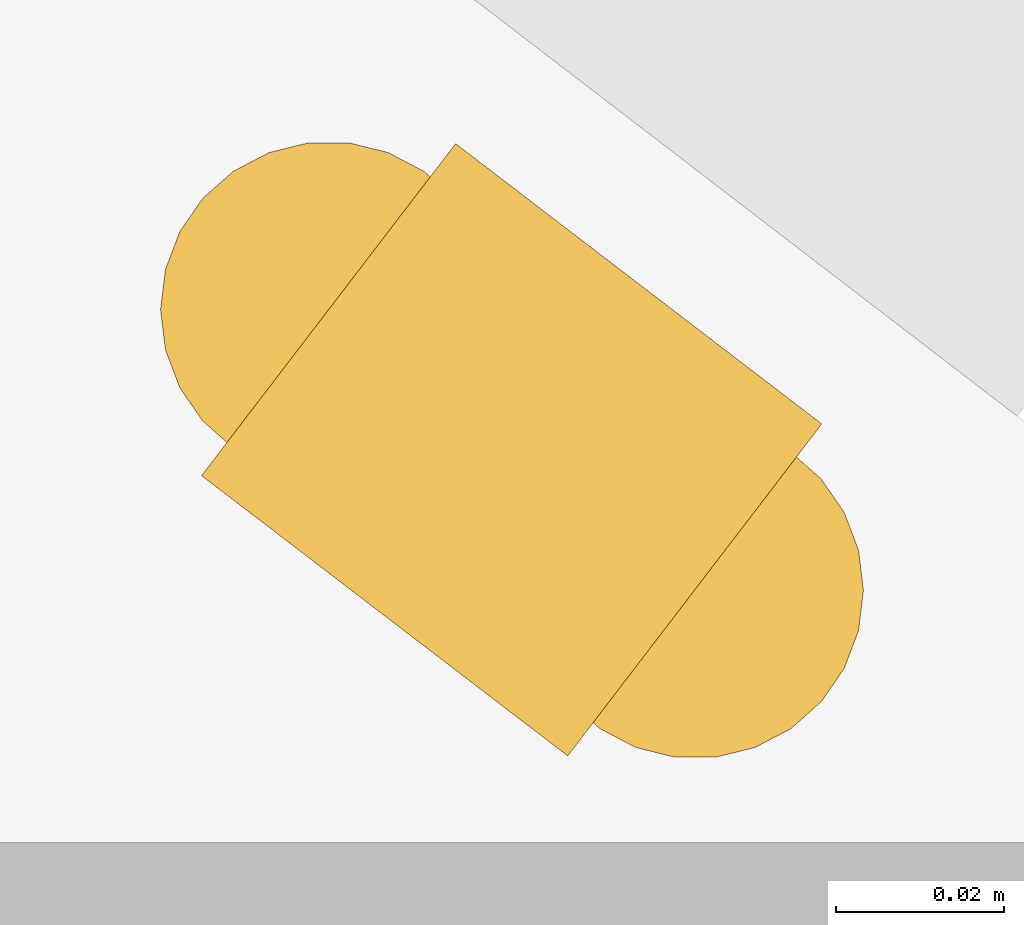
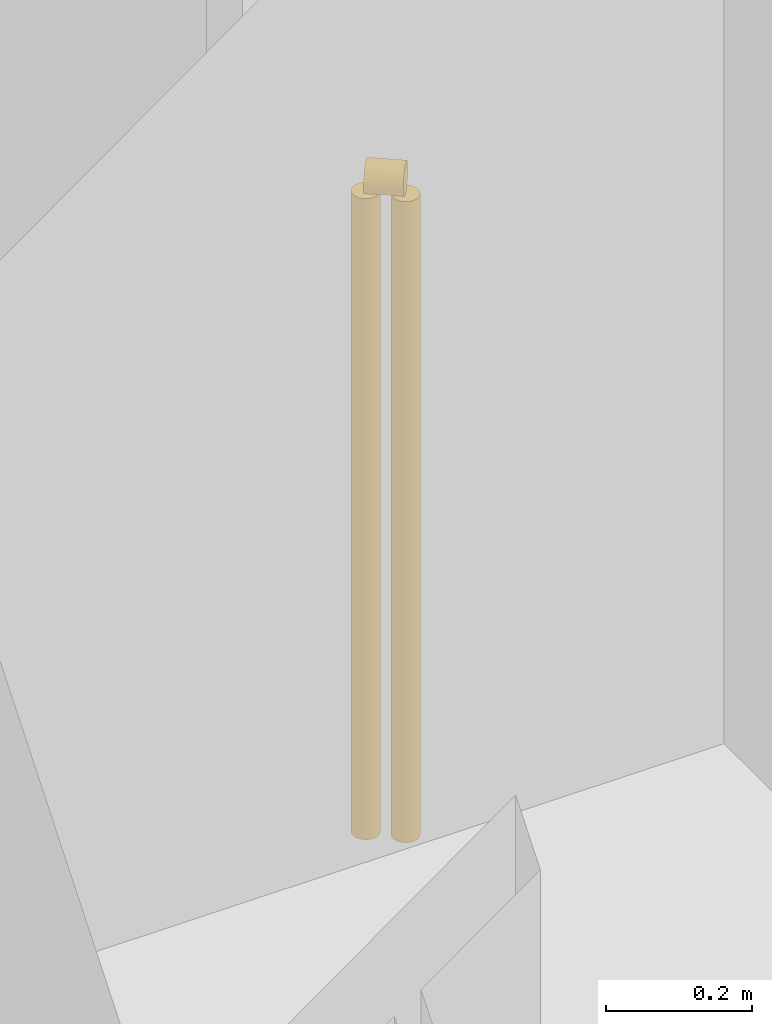
# One storey, part 30 of 30: 1 railing.
"""IFC4 building model written with IfcOpenShell, lengths in metres."""

from ifc_helpers import new_model, si_unit, direction, frame, origin, origin_2d, place, context, subcontext, project, spatial, circle, extrude, material, type_object, element, save


model = new_model("IFC4")

# Units and contexts
model_context = context("Model", 3, precision=1e-05, world=origin(), true_north=direction((0.0, 1.0)))
body_context = subcontext(model_context, "Body", "Model", "MODEL_VIEW")
ifc_project = project(units=[si_unit("LENGTHUNIT", "METRE"), si_unit("AREAUNIT", "SQUARE_METRE"), si_unit("VOLUMEUNIT", "CUBIC_METRE"), si_unit("PLANEANGLEUNIT", "RADIAN"), si_unit("MASSUNIT", "GRAM", prefix="KILO")], contexts=[model_context])

# Site, building, storey
site_placement = place(None, origin())
site = spatial("IfcSite", under=ifc_project, at=site_placement, CompositionType="ELEMENT")
building_placement = place(site_placement, origin())
building = spatial("IfcBuilding", under=site, at=building_placement, Name="Orlundy Tower", CompositionType="ELEMENT")
storey_placement = place(building_placement, frame((0.0, 0.0, 20.5)))
storey = spatial("IfcBuildingStorey", under=building, at=storey_placement, Name="L03", CompositionType="ELEMENT", Elevation=20.5)

# Railing
ifc_material = material(Name="Stainless steel bronze finish", Category="steel")
railing_type = type_object("IfcRailingType", Name="TG1 terrace guard", PredefinedType="GUARDRAIL", material=ifc_material)
railing_placement = place(storey_placement, frame((45.22509765625, -9.54345703125, 0.0)))
element("IfcRailing", 1, at=railing_placement, inside=storey, type_object=railing_type, Name="Guard TG-L03-E00", PredefinedType="GUARDRAIL", context=body_context, shape_type="SweptSolid", body=[
    extrude(circle(Radius=0.02490234375, at=origin_2d()), frame((0.0, 0.0, 1.09521484375), z_axis=(0.794105919742, -0.607779391087, 0.0), x_axis=(0.607779391087, 0.794105919742, 0.0)), (0.0, 0.0, 1.0), 0.054931640625),
    extrude(circle(Radius=0.02001953125, at=origin_2d()), origin(), (0.0, 0.0, 1.0), 1.070068359375),
    extrude(circle(Radius=0.02001953125, at=origin_2d()), frame((0.043701171875, -0.033447265625, 0.0)), (0.0, 0.0, 1.0), 1.070068359375),
])

save(model, "model.ifc")
